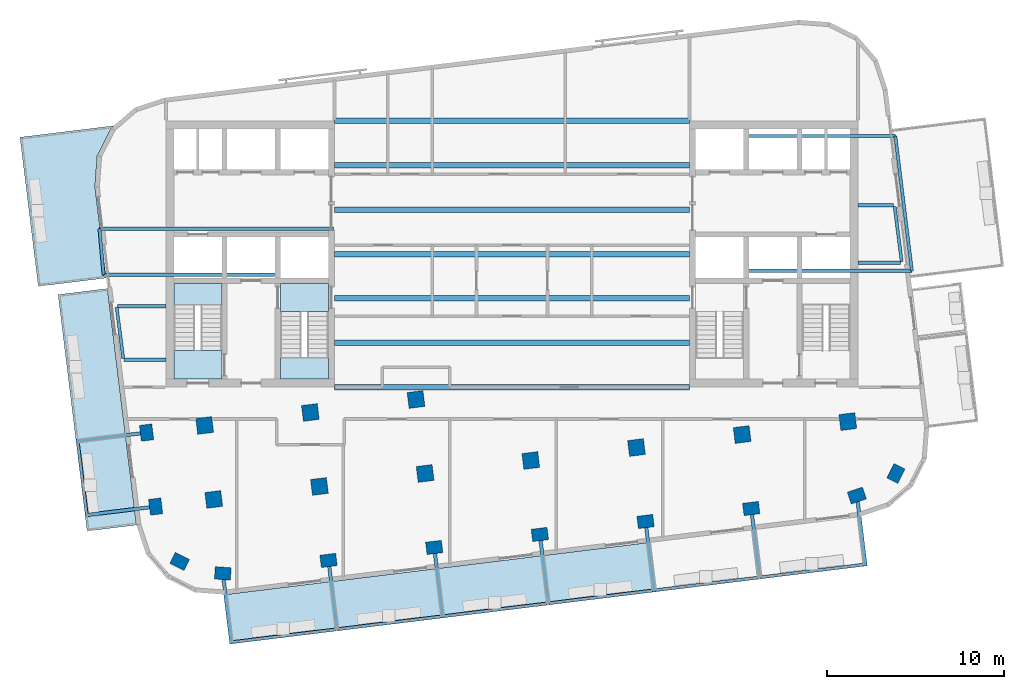
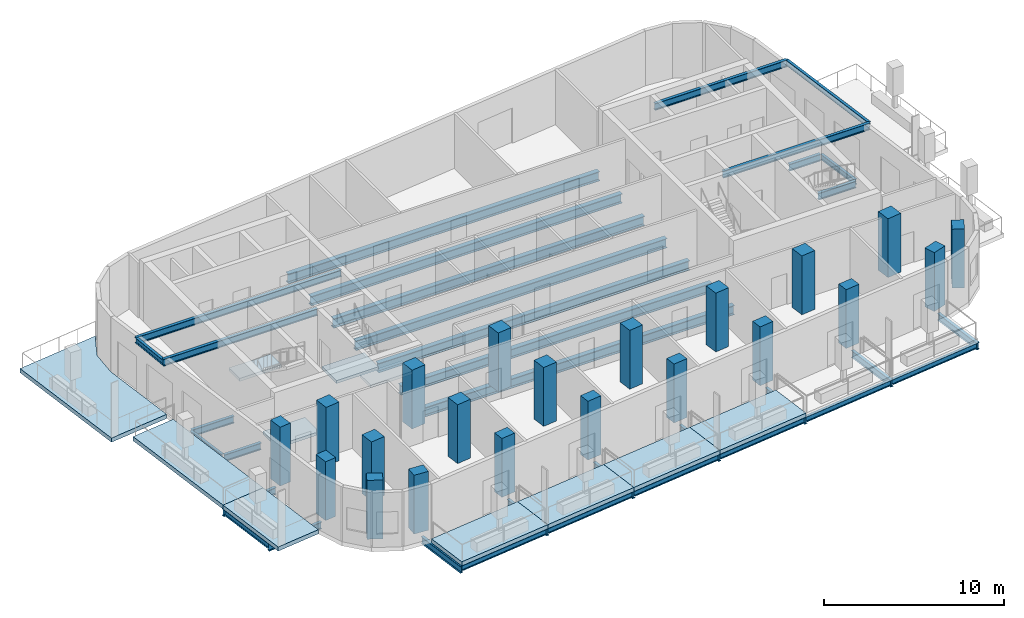
# One storey, part 1 of 10: 35 beams, 21 columns, 11 slabs, 2 elements without a shape of their own.
"""IFC4 building model written with IfcOpenShell, lengths in metres."""

from ifc_helpers import new_model, si_unit, direction, frame, origin, origin_2d, place, context, subcontext, project, spatial, polyline, rectangle, i_section, outline, extrude, material, layer, layer_set, material_profile, profile_set, type_object, element, aggregate, save


model = new_model("IFC4")

# Units and contexts
model_context = context("Model", 3, precision=1e-05, world=origin(), true_north=direction((0.0, 1.0)))
body_context = subcontext(model_context, "Body", "Model", "MODEL_VIEW")
ifc_project = project(units=[si_unit("LENGTHUNIT", "METRE"), si_unit("AREAUNIT", "SQUARE_METRE"), si_unit("VOLUMEUNIT", "CUBIC_METRE"), si_unit("PLANEANGLEUNIT", "RADIAN"), si_unit("MASSUNIT", "GRAM", prefix="KILO")], contexts=[model_context])

# Site, building, storey
site_placement = place(None, origin())
site = spatial("IfcSite", under=ifc_project, at=site_placement, CompositionType="ELEMENT")
building_placement = place(site_placement, origin())
building = spatial("IfcBuilding", under=site, at=building_placement, Name="Torana Hotel and Residences", CompositionType="ELEMENT")
storey_placement = place(building_placement, frame((0.0, 0.0, 334.60009765625)))
storey = spatial("IfcBuildingStorey", under=building, at=storey_placement, Name="L88", CompositionType="ELEMENT", Elevation=334.60009765625)

# Columns
ifc_material_1 = material(Name="Concrete C45/55", Category="concrete")
ifc_material_profile_1 = material_profile(ifc_material_1, rectangle(XDim=0.89990234375, YDim=0.699951171875, at=origin_2d()), Name="RC 900x700")
ifc_profile_set_1 = profile_set([ifc_material_profile_1], Name="Concrete C45/55")
column_type_1 = type_object("IfcColumnType", Name="COLUMN RC 900x700 C45/55", PredefinedType="COLUMN", material=ifc_profile_set_1)
for number, where, z_axis, x_axis, name in (
    (1, (-20.593017578125, -17.56201171875, 0.0), (0.0, 0.0, 1.0), (-0.121869343405, 0.992546151641, 0.0), "Column L88"),
    (2, (-20.0810546875, -21.73095703125, 0.0), (0.0, 0.0, 1.0), (-0.121869343405, 0.992546151641, 0.0), "Column L88"),
    (3, (-18.72802734375, -24.822998046875, 0.0), (0.0, 0.0, 1.0), (-0.892978943411, 0.450098441037, 0.0), "Column L88"),
    (4, (-16.2939453125, -25.4970703125, 0.0), (0.0, 0.0, 1.0), (-0.997251478385, 0.074091084885, 0.0), "Column L88"),
    (5, (-10.337890625, -24.76611328125, 0.0), (0.0, 0.0, 1.0), (0.992546151641, 0.121869343405, 0.0), "Column L88"),
    (6, (-4.383056640625, -24.034912109375, 0.0), (0.0, 0.0, 1.0), (0.992546151641, 0.121869343405, 0.0), "Column L88"),
    (7, (1.572021484375, -23.303955078125, 0.0), (0.0, 0.0, 1.0), (0.992546151641, 0.121869343405, 0.0), "Column L88"),
    (8, (7.527099609375, -22.572998046875, 0.0), (0.0, 0.0, 1.0), (0.992546151641, 0.121869343405, 0.0), "Column L88"),
    (9, (13.48291015625, -21.841064453125, 0.0), (0.0, 0.0, 1.0), (0.992546151641, 0.121869343405, 0.0), "Column L88"),
    (10, (19.43798828125, -21.110107421875, 0.0), (0.0, 0.0, 1.0), (0.949693660318, 0.313180381813, 0.0), "Column L88"),
    (11, (21.635986328125, -19.865966796875, 0.0), (0.0, 0.0, 1.0), (0.450098441037, 0.892978943411, 0.0), "Column L88"),
):
    element("IfcColumn", number, at=place(storey_placement, frame(where, z_axis=z_axis, x_axis=x_axis)), inside=storey, type_object=column_type_1, Name=name, PredefinedType="COLUMN", context=body_context, shape_type="SweptSolid", body=[
        extrude(rectangle(XDim=0.89990234375, YDim=0.699951171875, at=origin_2d()), origin(), (0.0, 0.0, 1.0), 4.0),
    ])
ifc_material_2 = material(Name="Concrete C45/55", Category="concrete")
ifc_material_profile_2 = material_profile(ifc_material_2, rectangle(XDim=0.89990234375, YDim=0.89990234375, at=origin_2d()), Name="RC 900x900")
ifc_profile_set_2 = profile_set([ifc_material_profile_2], Name="Concrete C45/55")
column_type_2 = type_object("IfcColumnType", Name="COLUMN RC 900x900 C45/55", PredefinedType="COLUMN", material=ifc_profile_set_2)
for number, where, z_axis, x_axis, name in (
    (12, (-17.31689453125, -17.159912109375, 0.0), (0.0, 0.0, 1.0), (0.992546151641, 0.121869343405, 0.0), "Column L88"),
    (13, (-16.805908203125, -21.3291015625, 0.0), (0.0, 0.0, 1.0), (0.992546151641, 0.121869343405, 0.0), "Column L88"),
    (14, (-11.362060546875, -16.428955078125, 0.0), (0.0, 0.0, 1.0), (0.992546151641, 0.121869343405, 0.0), "Column L88"),
    (15, (-10.85009765625, -20.597900390625, 0.0), (0.0, 0.0, 1.0), (0.992546151641, 0.121869343405, 0.0), "Column L88"),
    (16, (-5.406982421875, -15.697998046875, 0.0), (0.0, 0.0, 1.0), (0.992546151641, 0.121869343405, 0.0), "Column L88"),
    (17, (-4.89501953125, -19.865966796875, 0.0), (0.0, 0.0, 1.0), (0.992546151641, 0.121869343405, 0.0), "Column L88"),
    (18, (1.06005859375, -19.135009765625, 0.0), (0.0, 0.0, 1.0), (0.992546151641, 0.121869343405, 0.0), "Column L88"),
    (19, (7.01611328125, -18.404052734375, 0.0), (0.0, 0.0, 1.0), (0.992546151641, 0.121869343405, 0.0), "Column L88"),
    (20, (12.970947265625, -17.673095703125, 0.0), (0.0, 0.0, 1.0), (0.992546151641, 0.121869343405, 0.0), "Column L88"),
    (21, (18.926025390625, -16.94189453125, 0.0), (0.0, 0.0, 1.0), (0.992546151641, 0.121869343405, 0.0), "Column L88"),
):
    element("IfcColumn", number, at=place(storey_placement, frame(where, z_axis=z_axis, x_axis=x_axis)), inside=storey, type_object=column_type_2, Name=name, PredefinedType="COLUMN", context=body_context, shape_type="SweptSolid", body=[
        extrude(rectangle(XDim=0.89990234375, YDim=0.89990234375, at=origin_2d()), origin(), (0.0, 0.0, 1.0), 4.0),
    ])

# Beams
ifc_material_3 = material(Name="Steel S355", Category="steel")
ifc_material_profile_3 = material_profile(ifc_material_3, i_section(OverallWidth=0.19287109375, OverallDepth=0.46728515625, WebThickness=0.011474609375, FlangeThickness=0.01953125, FilletRadius=0.01025390625, at=origin_2d()), Name="457x191x98 UB")
ifc_profile_set_3 = profile_set([ifc_material_profile_3], Name="Steel S355")
beam_type_1 = type_object("IfcBeamType", Name="BALCONY CANTILEVER BEAM 457x191x98 UB", PredefinedType="BEAM", material=ifc_profile_set_3)
beam_1_placement = place(storey_placement, frame((-16.251708984375, -25.84130859375, -0.513671875), z_axis=(0.12194557952, -0.992536788051, 0.0), x_axis=(0.992536788051, 0.12194557952, 0.0)))
element("IfcBeam", 22, at=beam_1_placement, inside=storey, type_object=beam_type_1, Name="Balcony cantilever beam", PredefinedType="BEAM", context=body_context, shape_type="SweptSolid", body=[
    extrude(i_section(OverallWidth=0.19287109375, OverallDepth=0.46728515625, WebThickness=0.011474609375, FlangeThickness=0.01953125, FilletRadius=0.01025390625, at=origin_2d()), origin(), (0.0, 0.0, 1.0), 3.65380859375),
])
beam_2_placement = place(storey_placement, frame((-10.296630859375, -25.103515625, -0.513671875), z_axis=(0.121727603609, -0.992563544827, 0.0), x_axis=(0.992563544827, 0.121727603609, 0.0)))
element("IfcBeam", 23, at=beam_2_placement, inside=storey, type_object=beam_type_1, Name="Balcony cantilever beam", PredefinedType="BEAM", context=body_context, shape_type="SweptSolid", body=[
    extrude(i_section(OverallWidth=0.19287109375, OverallDepth=0.46728515625, WebThickness=0.011474609375, FlangeThickness=0.01953125, FilletRadius=0.01025390625, at=origin_2d()), origin(), (0.0, 0.0, 1.0), 3.66015625),
])
beam_3_placement = place(storey_placement, frame((-4.341552734375, -24.37255859375, -0.513671875), z_axis=(0.121809442808, -0.992553504675, 0.0), x_axis=(0.992553504675, 0.121809442808, 0.0)))
element("IfcBeam", 24, at=beam_3_placement, inside=storey, type_object=beam_type_1, Name="Balcony cantilever beam", PredefinedType="BEAM", context=body_context, shape_type="SweptSolid", body=[
    extrude(i_section(OverallWidth=0.19287109375, OverallDepth=0.46728515625, WebThickness=0.011474609375, FlangeThickness=0.01953125, FilletRadius=0.01025390625, at=origin_2d()), origin(), (0.0, 0.0, 1.0), 3.659912109375),
])
for number, where, z_axis, x_axis, name in (
    (25, (1.61328125, -23.6416015625, -0.513671875), (0.121948950891, -0.99253637383, 0.0), (0.99253637383, 0.121948950891, 0.0), "Balcony cantilever beam"),
    (26, (7.568359375, -22.910400390625, -0.513671875), (0.122014669663, -0.992528297021, 0.0), (0.992528297021, 0.122014669663, 0.0), "Balcony cantilever beam"),
):
    element("IfcBeam", number, at=place(storey_placement, frame(where, z_axis=z_axis, x_axis=x_axis)), inside=storey, type_object=beam_type_1, Name=name, PredefinedType="BEAM", context=body_context, shape_type="SweptSolid", body=[
        extrude(i_section(OverallWidth=0.19287109375, OverallDepth=0.46728515625, WebThickness=0.011474609375, FlangeThickness=0.01953125, FilletRadius=0.01025390625, at=origin_2d()), origin(), (0.0, 0.0, 1.0), 3.65966796875),
    ])
beam_4_placement = place(storey_placement, frame((13.5244140625, -22.178466796875, -0.513671875), z_axis=(0.12179331453, -0.992555483858, 0.0), x_axis=(0.992555483858, 0.12179331453, 0.0)))
element("IfcBeam", 27, at=beam_4_placement, inside=storey, type_object=beam_type_1, Name="Balcony cantilever beam", PredefinedType="BEAM", context=body_context, shape_type="SweptSolid", body=[
    extrude(i_section(OverallWidth=0.19287109375, OverallDepth=0.46728515625, WebThickness=0.011474609375, FlangeThickness=0.01953125, FilletRadius=0.01025390625, at=origin_2d()), origin(), (0.0, 0.0, 1.0), 3.660400390625),
])
beam_5_placement = place(storey_placement, frame((19.480224609375, -21.454345703125, -0.513671875), z_axis=(0.12183008487, -0.992550971195, 0.0), x_axis=(0.992550971195, 0.12183008487, 0.0)))
element("IfcBeam", 28, at=beam_5_placement, inside=storey, type_object=beam_type_1, Name="Balcony cantilever beam", PredefinedType="BEAM", context=body_context, shape_type="SweptSolid", body=[
    extrude(i_section(OverallWidth=0.19287109375, OverallDepth=0.46728515625, WebThickness=0.011474609375, FlangeThickness=0.01953125, FilletRadius=0.01025390625, at=origin_2d()), origin(), (0.0, 0.0, 1.0), 3.653076171875),
])
for number, where, z_axis, x_axis, name in (
    (29, (-20.930419921875, -17.603515625, -0.513671875), (-0.992537365838, -0.121940876722, 0.0), (0.121940876722, -0.992537365838, 0.0), "Balcony cantilever beam"),
    (30, (-20.41845703125, -21.7724609375, -0.513671875), (-0.992545437366, -0.121875160566, 0.0), (0.121875160566, -0.992545437366, 0.0), "Balcony cantilever beam"),
):
    element("IfcBeam", number, at=place(storey_placement, frame(where, z_axis=z_axis, x_axis=x_axis)), inside=storey, type_object=beam_type_1, Name=name, PredefinedType="BEAM", context=body_context, shape_type="SweptSolid", body=[
        extrude(i_section(OverallWidth=0.19287109375, OverallDepth=0.46728515625, WebThickness=0.011474609375, FlangeThickness=0.01953125, FilletRadius=0.01025390625, at=origin_2d()), origin(), (0.0, 0.0, 1.0), 3.659912109375),
    ])
beam_6_placement = place(storey_placement, frame((-19.489990234375, -13.449951171875, -0.513671875), z_axis=(-1.0, 0.0, 0.0), x_axis=(0.0, -1.0, 0.0)))
element("IfcBeam", 31, at=beam_6_placement, inside=storey, type_object=beam_type_1, Name="Balcony cantilever beam", PredefinedType="BEAM", context=body_context, shape_type="SweptSolid", body=[
    extrude(i_section(OverallWidth=0.19287109375, OverallDepth=0.46728515625, WebThickness=0.011474609375, FlangeThickness=0.01953125, FilletRadius=0.01025390625, at=origin_2d()), origin(), (0.0, 0.0, 1.0), 2.360107421875),
])
beam_7_placement = place(storey_placement, frame((-19.489990234375, -10.449951171875, -0.513671875), z_axis=(-1.0, 0.0, 0.0), x_axis=(0.0, -1.0, 0.0)))
element("IfcBeam", 32, at=beam_7_placement, inside=storey, type_object=beam_type_1, Name="Balcony cantilever beam", PredefinedType="BEAM", context=body_context, shape_type="SweptSolid", body=[
    extrude(i_section(OverallWidth=0.19287109375, OverallDepth=0.46728515625, WebThickness=0.011474609375, FlangeThickness=0.01953125, FilletRadius=0.01025390625, at=origin_2d()), origin(), (0.0, 0.0, 1.0), 2.728515625),
])
beam_8_placement = place(storey_placement, frame((19.489990234375, -8.0, -0.513671875), z_axis=(1.0, 0.0, 0.0), x_axis=(0.0, 1.0, 0.0)))
element("IfcBeam", 33, at=beam_8_placement, inside=storey, type_object=beam_type_1, Name="Balcony cantilever beam", PredefinedType="BEAM", context=body_context, shape_type="SweptSolid", body=[
    extrude(i_section(OverallWidth=0.19287109375, OverallDepth=0.46728515625, WebThickness=0.011474609375, FlangeThickness=0.01953125, FilletRadius=0.01025390625, at=origin_2d()), origin(), (0.0, 0.0, 1.0), 2.41552734375),
])
beam_9_placement = place(storey_placement, frame((19.489990234375, -4.75, -0.513671875), z_axis=(1.0, 0.0, 0.0), x_axis=(0.0, 1.0, 0.0)))
element("IfcBeam", 34, at=beam_9_placement, inside=storey, type_object=beam_type_1, Name="Balcony cantilever beam", PredefinedType="BEAM", context=body_context, shape_type="SweptSolid", body=[
    extrude(i_section(OverallWidth=0.19287109375, OverallDepth=0.46728515625, WebThickness=0.011474609375, FlangeThickness=0.01953125, FilletRadius=0.01025390625, at=origin_2d()), origin(), (0.0, 0.0, 1.0), 2.016357421875),
])
beam_10_placement = place(storey_placement, frame((-23.013916015625, -8.669921875, 3.486328125), z_axis=(1.0, 0.0, 0.0), x_axis=(0.0, 1.0, 0.0)))
element("IfcBeam", 35, at=beam_10_placement, inside=storey, type_object=beam_type_1, Name="Balcony cantilever beam", PredefinedType="BEAM", context=body_context, shape_type="SweptSolid", body=[
    extrude(i_section(OverallWidth=0.19287109375, OverallDepth=0.46728515625, WebThickness=0.011474609375, FlangeThickness=0.01953125, FilletRadius=0.01025390625, at=origin_2d()), origin(), (0.0, 0.0, 1.0), 9.913818359375),
])
beam_11_placement = place(storey_placement, frame((-23.2451171875, -6.070068359375, 3.486328125), z_axis=(1.0, 0.0, 0.0), x_axis=(0.0, 1.0, 0.0)))
element("IfcBeam", 36, at=beam_11_placement, inside=storey, type_object=beam_type_1, Name="Balcony cantilever beam", PredefinedType="BEAM", context=body_context, shape_type="SweptSolid", body=[
    extrude(i_section(OverallWidth=0.19287109375, OverallDepth=0.46728515625, WebThickness=0.011474609375, FlangeThickness=0.01953125, FilletRadius=0.01025390625, at=origin_2d()), origin(), (0.0, 0.0, 1.0), 13.195068359375),
])
beam_12_placement = place(storey_placement, frame((22.537353515625, -8.449951171875, 3.486328125), z_axis=(-1.0, 0.0, 0.0), x_axis=(0.0, -1.0, 0.0)))
element("IfcBeam", 37, at=beam_12_placement, inside=storey, type_object=beam_type_1, Name="Balcony cantilever beam", PredefinedType="BEAM", context=body_context, shape_type="SweptSolid", body=[
    extrude(i_section(OverallWidth=0.19287109375, OverallDepth=0.46728515625, WebThickness=0.011474609375, FlangeThickness=0.01953125, FilletRadius=0.01025390625, at=origin_2d()), origin(), (0.0, 0.0, 1.0), 9.437255859375),
])
beam_13_placement = place(storey_placement, frame((21.60400390625, -0.85009765625, 3.486328125), z_axis=(-1.0, 0.0, 0.0), x_axis=(0.0, -1.0, 0.0)))
element("IfcBeam", 38, at=beam_13_placement, inside=storey, type_object=beam_type_1, Name="Balcony cantilever beam", PredefinedType="BEAM", context=body_context, shape_type="SweptSolid", body=[
    extrude(i_section(OverallWidth=0.19287109375, OverallDepth=0.46728515625, WebThickness=0.011474609375, FlangeThickness=0.01953125, FilletRadius=0.01025390625, at=origin_2d()), origin(), (0.0, 0.0, 1.0), 8.50390625),
])
ifc_material_4 = material(Name="Steel S355", Category="steel")
ifc_material_profile_4 = material_profile(ifc_material_4, i_section(OverallWidth=0.173095703125, OverallDepth=0.36328125, WebThickness=0.009033203125, FlangeThickness=0.015625, FilletRadius=0.01025390625, at=origin_2d()), Name="356x171x67 UB")
ifc_profile_set_4 = profile_set([ifc_material_profile_4], Name="Steel S355")
beam_type_2 = type_object("IfcBeamType", Name="BALCONY TIP BEAM 356x171x67 UB", PredefinedType="BEAM", material=ifc_profile_set_4)
for number, where, z_axis, x_axis, name in (
    (39, (-9.927490234375, -28.65869140625, -0.4619140625), (-0.992545044936, -0.121878356459, 0.0), (0.121878356459, -0.992545044936, 0.0), "Balcony tip beam"),
    (40, (-3.97216796875, -27.92724609375, -0.4619140625), (-0.992540010453, -0.121919348955, 0.0), (0.121919348955, -0.992540010453, 0.0), "Balcony tip beam"),
    (41, (1.983154296875, -27.196044921875, -0.4619140625), (-0.992545044936, -0.121878356459, 0.0), (0.121878356459, -0.992545044936, 0.0), "Balcony tip beam"),
    (42, (7.9384765625, -26.46484375, -0.4619140625), (-0.992545044936, -0.121878356459, 0.0), (0.121878356459, -0.992545044936, 0.0), "Balcony tip beam"),
):
    element("IfcBeam", number, at=place(storey_placement, frame(where, z_axis=z_axis, x_axis=x_axis)), inside=storey, type_object=beam_type_2, Name=name, PredefinedType="BEAM", context=body_context, shape_type="SweptSolid", body=[
        extrude(i_section(OverallWidth=0.173095703125, OverallDepth=0.36328125, WebThickness=0.009033203125, FlangeThickness=0.015625, FilletRadius=0.01025390625, at=origin_2d()), origin(), (0.0, 0.0, 1.0), 5.8671875),
    ])
beam_14_placement = place(storey_placement, frame((13.8935546875, -25.733642578125, -0.4619140625), z_axis=(-0.992544426795, -0.121883390327, 0.0), x_axis=(0.121883390327, -0.992544426795, 0.0)))
element("IfcBeam", 43, at=beam_14_placement, inside=storey, type_object=beam_type_2, Name="Balcony tip beam", PredefinedType="BEAM", context=body_context, shape_type="SweptSolid", body=[
    extrude(i_section(OverallWidth=0.173095703125, OverallDepth=0.36328125, WebThickness=0.009033203125, FlangeThickness=0.015625, FilletRadius=0.01025390625, at=origin_2d()), origin(), (0.0, 0.0, 1.0), 5.866943359375),
])
beam_15_placement = place(storey_placement, frame((19.848876953125, -25.00244140625, -0.4619140625), z_axis=(-0.992545044936, -0.121878356459, 0.0), x_axis=(0.121878356459, -0.992545044936, 0.0)))
element("IfcBeam", 44, at=beam_15_placement, inside=storey, type_object=beam_type_2, Name="Balcony tip beam", PredefinedType="BEAM", context=body_context, shape_type="SweptSolid", body=[
    extrude(i_section(OverallWidth=0.173095703125, OverallDepth=0.36328125, WebThickness=0.009033203125, FlangeThickness=0.015625, FilletRadius=0.01025390625, at=origin_2d()), origin(), (0.0, 0.0, 1.0), 5.8671875),
])
beam_16_placement = place(storey_placement, frame((-23.97314453125, -22.14208984375, -0.4619140625), z_axis=(-0.121906862374, 0.992541544171, 0.0), x_axis=(-0.992541544171, -0.121906862374, 0.0)))
element("IfcBeam", 45, at=beam_16_placement, inside=storey, type_object=beam_type_2, Name="Balcony tip beam", PredefinedType="BEAM", context=body_context, shape_type="SweptSolid", body=[
    extrude(i_section(OverallWidth=0.173095703125, OverallDepth=0.36328125, WebThickness=0.009033203125, FlangeThickness=0.015625, FilletRadius=0.01025390625, at=origin_2d()), origin(), (0.0, 0.0, 1.0), 4.0673828125),
])
beam_17_placement = place(storey_placement, frame((-21.90673828125, -13.383544921875, -0.4619140625), z_axis=(-0.127443407553, 0.991845843804, 0.0), x_axis=(-0.991845843804, -0.127443407553, 0.0)))
element("IfcBeam", 46, at=beam_17_placement, inside=storey, type_object=beam_type_2, Name="Balcony tip beam", PredefinedType="BEAM", context=body_context, shape_type="SweptSolid", body=[
    extrude(i_section(OverallWidth=0.173095703125, OverallDepth=0.36328125, WebThickness=0.009033203125, FlangeThickness=0.015625, FilletRadius=0.01025390625, at=origin_2d()), origin(), (0.0, 0.0, 1.0), 2.890869140625),
])
beam_18_placement = place(storey_placement, frame((21.9619140625, -7.93359375, -0.4619140625), z_axis=(-0.126940899221, 0.991910282286, 0.0), x_axis=(-0.991910282286, -0.126940899221, 0.0)))
element("IfcBeam", 47, at=beam_18_placement, inside=storey, type_object=beam_type_2, Name="Balcony tip beam", PredefinedType="BEAM", context=body_context, shape_type="SweptSolid", body=[
    extrude(i_section(OverallWidth=0.173095703125, OverallDepth=0.36328125, WebThickness=0.009033203125, FlangeThickness=0.015625, FilletRadius=0.01025390625, at=origin_2d()), origin(), (0.0, 0.0, 1.0), 3.142578125),
])
beam_19_placement = place(storey_placement, frame((-23.013916015625, -8.669921875, 3.5380859375), z_axis=(-0.088578973765, 0.99606915694, 0.0), x_axis=(-0.99606915694, -0.088578973765, 0.0)))
element("IfcBeam", 48, at=beam_19_placement, inside=storey, type_object=beam_type_2, Name="Balcony tip beam", PredefinedType="BEAM", context=body_context, shape_type="SweptSolid", body=[
    extrude(i_section(OverallWidth=0.173095703125, OverallDepth=0.36328125, WebThickness=0.009033203125, FlangeThickness=0.015625, FilletRadius=0.01025390625, at=origin_2d()), origin(), (0.0, 0.0, 1.0), 2.610107421875),
])
beam_20_placement = place(storey_placement, frame((22.537353515625, -8.449951171875, 3.5380859375), z_axis=(-0.1218957101, 0.992542913863, 0.0), x_axis=(-0.992542913863, -0.1218957101, 0.0)))
element("IfcBeam", 49, at=beam_20_placement, inside=storey, type_object=beam_type_2, Name="Balcony tip beam", PredefinedType="BEAM", context=body_context, shape_type="SweptSolid", body=[
    extrude(i_section(OverallWidth=0.173095703125, OverallDepth=0.36328125, WebThickness=0.009033203125, FlangeThickness=0.015625, FilletRadius=0.01025390625, at=origin_2d()), origin(), (0.0, 0.0, 1.0), 7.656982421875),
])
ifc_material_5 = material(Name="Steel S355", Category="steel")
ifc_material_profile_5 = material_profile(ifc_material_5, i_section(OverallWidth=0.311279296875, OverallDepth=0.6357421875, WebThickness=0.018310546875, FlangeThickness=0.031494140625, FilletRadius=0.0166015625, at=origin_2d()), Name="610x305x238 UB")
ifc_profile_set_5 = profile_set([ifc_material_profile_5], Name="Steel S355")
beam_type_3 = type_object("IfcBeamType", Name="STEEL GIRDER 610x305x238 UB", PredefinedType="BEAM", material=ifc_profile_set_5)
for number, where, z_axis, x_axis, name in (
    (50, (-10.0, -15.0, -0.597900390625), (1.0, 0.0, 0.0), (0.0, 1.0, 0.0), "Floor girder"),
    (51, (-10.0, -12.5, -0.597900390625), (1.0, 0.0, 0.0), (0.0, 1.0, 0.0), "Floor girder"),
    (52, (-10.0, -10.0, -0.597900390625), (1.0, 0.0, 0.0), (0.0, 1.0, 0.0), "Floor girder"),
    (53, (-10.0, -7.5, -0.597900390625), (1.0, 0.0, 0.0), (0.0, 1.0, 0.0), "Floor girder"),
    (54, (-10.0, -5.0, -0.597900390625), (1.0, 0.0, 0.0), (0.0, 1.0, 0.0), "Floor girder"),
    (55, (-10.0, -2.5, -0.597900390625), (1.0, 0.0, 0.0), (0.0, 1.0, 0.0), "Floor girder"),
    (56, (-10.0, 0.0, -0.597900390625), (1.0, 0.0, 0.0), (0.0, 1.0, 0.0), "Floor girder"),
):
    element("IfcBeam", number, at=place(storey_placement, frame(where, z_axis=z_axis, x_axis=x_axis)), inside=storey, type_object=beam_type_3, Name=name, PredefinedType="BEAM", context=body_context, shape_type="SweptSolid", body=[
        extrude(i_section(OverallWidth=0.311279296875, OverallDepth=0.6357421875, WebThickness=0.018310546875, FlangeThickness=0.031494140625, FilletRadius=0.0166015625, at=origin_2d()), origin(), (0.0, 0.0, 1.0), 20.0),
    ])

# Slabs
ifc_material_6 = material(Name="Concrete C40/50", Category="concrete")
ifc_layer_1 = layer(ifc_material_6, 0.280029296875)
ifc_layer_set_1 = layer_set([ifc_layer_1], Name="BAL1 BALCONY SLAB 280")
slab_type_1 = type_object("IfcSlabType", Name="BAL1 BALCONY SLAB 280", PredefinedType="USERDEFINED", material=ifc_layer_set_1)
slab_1_placement = place(storey_placement, frame((0.0, 0.0, -0.280029296875)))
element("IfcSlab", 57, at=slab_1_placement, inside=storey, type_object=slab_type_1, Name="Balcony 01", ObjectType="BALCONY", PredefinedType="USERDEFINED", context=body_context, shape_type="SweptSolid", body=[
    extrude(outline(polyline([(-15.80615234375, -29.4677734375), (-9.85107421875, -28.736572265625), (-10.192138671875, -25.957275390625), (-16.1474609375, -26.6884765625), (-15.80615234375, -29.4677734375)])), origin(), (0.0, 0.0, 1.0), 0.280029296875),
])
slab_2_placement = place(storey_placement, frame((0.0, 0.0, -0.280029296875)))
element("IfcSlab", 58, at=slab_2_placement, inside=storey, type_object=slab_type_1, Name="Balcony 02", ObjectType="BALCONY", PredefinedType="USERDEFINED", context=body_context, shape_type="SweptSolid", body=[
    extrude(outline(polyline([(-9.85107421875, -28.736572265625), (-3.895751953125, -28.005126953125), (-4.23681640625, -25.22607421875), (-10.192138671875, -25.957275390625), (-9.85107421875, -28.736572265625)])), origin(), (0.0, 0.0, 1.0), 0.280029296875),
])
slab_3_placement = place(storey_placement, frame((0.0, 0.0, -0.280029296875)))
element("IfcSlab", 59, at=slab_3_placement, inside=storey, type_object=slab_type_1, Name="Balcony 03", ObjectType="BALCONY", PredefinedType="USERDEFINED", context=body_context, shape_type="SweptSolid", body=[
    extrude(outline(polyline([(-3.895751953125, -28.005126953125), (2.0595703125, -27.27392578125), (1.718505859375, -24.494873046875), (-4.23681640625, -25.22607421875), (-3.895751953125, -28.005126953125)])), origin(), (0.0, 0.0, 1.0), 0.280029296875),
])
slab_4_placement = place(storey_placement, frame((0.0, 0.0, -0.280029296875)))
element("IfcSlab", 60, at=slab_4_placement, inside=storey, type_object=slab_type_1, Name="Balcony 04", ObjectType="BALCONY", PredefinedType="USERDEFINED", context=body_context, shape_type="SweptSolid", body=[
    extrude(outline(polyline([(2.0595703125, -27.27392578125), (8.014892578125, -26.542724609375), (7.673583984375, -23.763671875), (1.718505859375, -24.494873046875), (2.0595703125, -27.27392578125)])), origin(), (0.0, 0.0, 1.0), 0.280029296875),
])
slab_5_placement = place(storey_placement, frame((0.0, 0.0, -0.280029296875)))
element("IfcSlab", 61, at=slab_5_placement, inside=storey, type_object=slab_type_1, Name="Balcony 07", ObjectType="BALCONY", PredefinedType="USERDEFINED", context=body_context, shape_type="SweptSolid", body=[
    extrude(outline(polyline([(-23.94140625, -23.11181640625), (-21.162353515625, -22.7705078125), (-21.783935546875, -17.70849609375), (-24.56298828125, -18.0498046875), (-23.94140625, -23.11181640625)])), origin(), (0.0, 0.0, 1.0), 0.280029296875),
])
slab_6_placement = place(storey_placement, frame((0.0, 0.0, -0.280029296875)))
element("IfcSlab", 62, at=slab_6_placement, inside=storey, type_object=slab_type_1, Name="Balcony 08", ObjectType="BALCONY", PredefinedType="USERDEFINED", context=body_context, shape_type="SweptSolid", body=[
    extrude(outline(polyline([(-24.56298828125, -18.0498046875), (-21.783935546875, -17.70849609375), (-22.79833984375, -9.445556640625), (-25.57763671875, -9.786865234375), (-24.56298828125, -18.0498046875)])), origin(), (0.0, 0.0, 1.0), 0.280029296875),
])
slab_7_placement = place(storey_placement, frame((0.0, 0.0, -0.280029296875)))
element("IfcSlab", 63, at=slab_7_placement, inside=storey, type_object=slab_type_1, Name="Balcony 09", ObjectType="BALCONY", PredefinedType="USERDEFINED", context=body_context, shape_type="SweptSolid", body=[
    extrude(outline(polyline([(-26.69287109375, -9.319091796875), (-22.87158203125, -8.85009765625), (-23.502197265625, -3.713623046875), (-23.3720703125, -1.962646484375), (-22.581787109375, -0.394775390625), (-22.43701171875, -0.27001953125), (-27.724365234375, -0.919189453125), (-26.69287109375, -9.319091796875)])), origin(), (0.0, 0.0, 1.0), 0.280029296875),
])

# Stair, slabs
ifc_material_7 = material(Name="Concrete C40/50 precast", Category="concrete")
stair_type_1 = type_object("IfcStairType", Name="STAIR ST1 HALF TURN 1200", PredefinedType="HALF_TURN_STAIR", material=ifc_material_7)
stair_1_placement = place(storey_placement, origin())
stair_1 = element("IfcStair", 64, at=stair_1_placement, inside=storey, type_object=stair_type_1, Name="Stair ST1 L88", PredefinedType="HALF_TURN_STAIR")
ifc_material_8 = material(Name="Concrete C40/50 precast", Category="concrete")
ifc_layer_2 = layer(ifc_material_8, 0.199951171875)
ifc_layer_set_2 = layer_set([ifc_layer_2], Name="STAIR LANDING 200")
slab_type_2 = type_object("IfcSlabType", Name="STAIR LANDING 200", PredefinedType="LANDING", material=ifc_layer_set_2)
slab_8_placement = place(storey_placement, frame((0.0, 0.0, 1.7998046875)))
slab_8 = element("IfcSlab", 65, at=slab_8_placement, type_object=slab_type_2, Name="ST1 landing 1", PredefinedType="LANDING", context=body_context, shape_type="SweptSolid", body=[
    extrude(outline(polyline([(-13.050048828125, -14.550048828125), (-10.35009765625, -14.550048828125), (-10.35009765625, -13.35009765625), (-13.050048828125, -13.35009765625), (-13.050048828125, -14.550048828125)])), origin(), (0.0, 0.0, 1.0), 0.2001953125),
])
slab_9_placement = place(storey_placement, frame((0.0, 0.0, -0.2001953125)))
slab_9 = element("IfcSlab", 66, at=slab_9_placement, type_object=slab_type_2, Name="ST1 landing 2", PredefinedType="LANDING", context=body_context, shape_type="SweptSolid", body=[
    extrude(outline(polyline([(-13.050048828125, -10.75), (-10.35009765625, -10.75), (-10.35009765625, -9.14990234375), (-13.050048828125, -9.14990234375), (-13.050048828125, -10.75)])), origin(), (0.0, 0.0, 1.0), 0.2001953125),
])
aggregate(stair_1, [slab_8, slab_9])

ifc_material_9 = material(Name="Concrete C40/50 precast", Category="concrete")
stair_type_2 = type_object("IfcStairType", Name="STAIR ST2 HALF TURN 1200", PredefinedType="HALF_TURN_STAIR", material=ifc_material_9)
stair_2_placement = place(storey_placement, origin())
stair_2 = element("IfcStair", 67, at=stair_2_placement, inside=storey, type_object=stair_type_2, Name="Stair ST2 L88", PredefinedType="HALF_TURN_STAIR")
slab_10_placement = place(storey_placement, frame((0.0, 0.0, 1.7998046875)))
slab_10 = element("IfcSlab", 68, at=slab_10_placement, type_object=slab_type_2, Name="ST2 landing 1", PredefinedType="LANDING", context=body_context, shape_type="SweptSolid", body=[
    extrude(outline(polyline([(-19.050048828125, -10.35009765625), (-16.35009765625, -10.35009765625), (-16.35009765625, -9.14990234375), (-19.050048828125, -9.14990234375), (-19.050048828125, -10.35009765625)])), origin(), (0.0, 0.0, 1.0), 0.2001953125),
])
slab_11_placement = place(storey_placement, frame((0.0, 0.0, -0.2001953125)))
slab_11 = element("IfcSlab", 69, at=slab_11_placement, type_object=slab_type_2, Name="ST2 landing 2", PredefinedType="LANDING", context=body_context, shape_type="SweptSolid", body=[
    extrude(outline(polyline([(-19.050048828125, -14.550048828125), (-16.35009765625, -14.550048828125), (-16.35009765625, -12.949951171875), (-19.050048828125, -12.949951171875), (-19.050048828125, -14.550048828125)])), origin(), (0.0, 0.0, 1.0), 0.2001953125),
])
aggregate(stair_2, [slab_10, slab_11])

save(model, "model.ifc")
